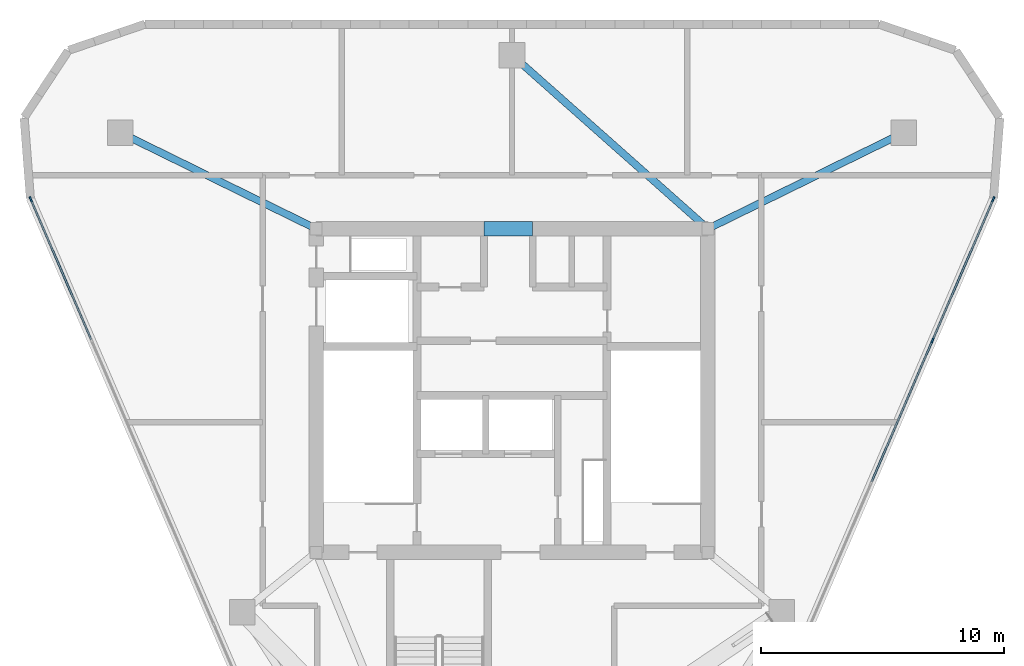
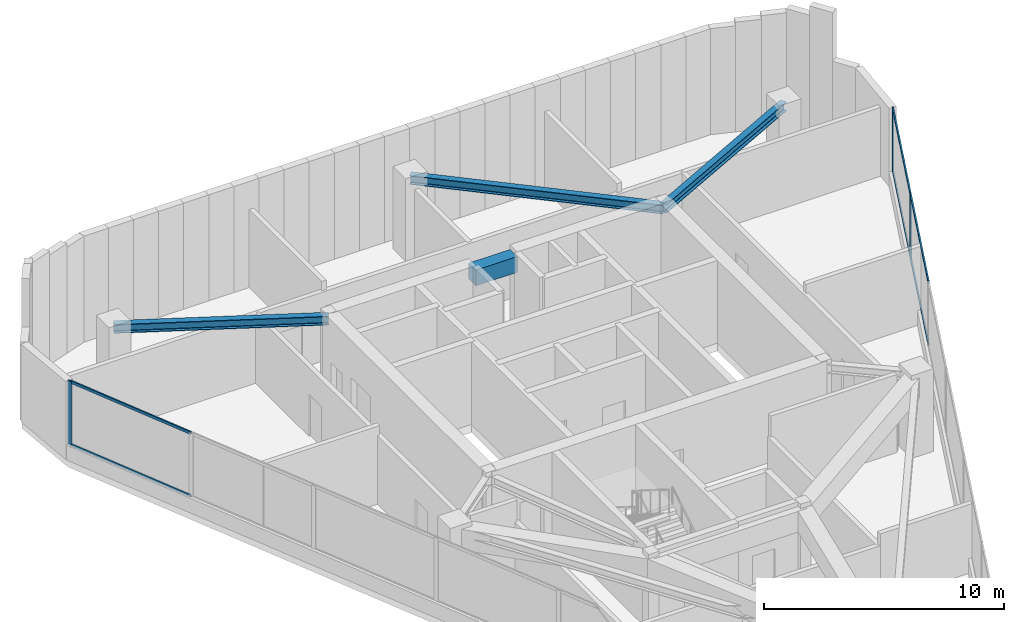
# One storey, part 3 of 9: 9 members, 4 beams, 2 elements without a shape of their own.
"""IFC4 building model written with IfcOpenShell, lengths in metres."""

from ifc_helpers import new_model, si_unit, direction, frame, origin, origin_2d, place, context, subcontext, project, spatial, rectangle, i_section, extrude, material, layer, layer_set, material_profile, profile_set, type_object, element, aggregate, save


model = new_model("IFC4")

# Units and contexts
model_context = context("Model", 3, precision=1e-05, world=origin(), true_north=direction((0.0, 1.0)))
body_context = subcontext(model_context, "Body", "Model", "MODEL_VIEW")
ifc_project = project(units=[si_unit("LENGTHUNIT", "METRE"), si_unit("AREAUNIT", "SQUARE_METRE"), si_unit("VOLUMEUNIT", "CUBIC_METRE"), si_unit("PLANEANGLEUNIT", "RADIAN"), si_unit("MASSUNIT", "GRAM", prefix="KILO")], contexts=[model_context])

# Site, building, storey
site_placement = place(None, origin())
site = spatial("IfcSite", under=ifc_project, at=site_placement, CompositionType="ELEMENT")
building_placement = place(site_placement, origin())
building = spatial("IfcBuilding", under=site, at=building_placement, Name="Talyreon Biosciences Tower", CompositionType="ELEMENT")
storey_placement = place(building_placement, frame((0.0, 0.0, 317.199951171875)))
storey = spatial("IfcBuildingStorey", under=building, at=storey_placement, Name="L84", CompositionType="ELEMENT", Elevation=317.199951171875)

# Curtain wall, members
ifc_material_1 = material(Name="Thermally broken aluminium and low-E glazing", Category="aluminium")
ifc_layer = layer(ifc_material_1, 0.2099609375)
ifc_layer_set = layer_set([ifc_layer], Name="Thermally broken aluminium and low-E glazing")
curtain_wall_type = type_object("IfcCurtainWallType", Name="CurtainWall_SlantedCrown", PredefinedType="NOTDEFINED", material=ifc_layer_set)
curtain_wall_1_placement = place(storey_placement, origin())
curtain_wall_1 = element("IfcCurtainWall", 1, at=curtain_wall_1_placement, inside=storey, type_object=curtain_wall_type, Name="L84 Unitised Curtain Wall FCW-L84-07C", PredefinedType="NOTDEFINED")
ifc_material_2 = material(Name="Anodised thermally broken aluminium", Category="aluminium")
ifc_material_profile_1 = material_profile(ifc_material_2, rectangle(XDim=0.074951171875, YDim=0.2099609375, at=origin_2d()), Name="ALUM MULLION 75x210")
ifc_profile_set_1 = profile_set([ifc_material_profile_1], Name="Anodised thermally broken aluminium")
member_type_1 = type_object("IfcMemberType", Name="CWMullion_75x210", PredefinedType="MULLION", material=ifc_profile_set_1)
member_1_placement = place(storey_placement, frame((85.782470703125, 75.867431640625, 0.7099609375), z_axis=(0.0, 0.0, 1.0), x_axis=(0.918487228756, -0.395450642447, 0.0)))
member_1 = element("IfcMember", 2, at=member_1_placement, type_object=member_type_1, Name="CW8 mullion 1", PredefinedType="MULLION", context=body_context, shape_type="SweptSolid", body=[
    extrude(rectangle(XDim=0.074951171875, YDim=0.2099609375, at=origin_2d()), origin(), (0.0, 0.0, 1.0), 3.255126953125),
])
member_2_placement = place(storey_placement, frame((83.28271484375, 70.06103515625, 0.7099609375), z_axis=(0.0, 0.0, 1.0), x_axis=(0.918487228756, -0.395450642447, 0.0)))
member_2 = element("IfcMember", 3, at=member_2_placement, type_object=member_type_1, Name="CW8 mullion 2", PredefinedType="MULLION", context=body_context, shape_type="SweptSolid", body=[
    extrude(rectangle(XDim=0.074951171875, YDim=0.2099609375, at=origin_2d()), origin(), (0.0, 0.0, 1.0), 3.255126953125),
])

# Curtain wall, member
curtain_wall_2_placement = place(storey_placement, origin())
curtain_wall_2 = element("IfcCurtainWall", 4, at=curtain_wall_2_placement, inside=storey, type_object=curtain_wall_type, Name="L84 Unitised Curtain Wall FCW-L84-11C", PredefinedType="NOTDEFINED")
member_3_placement = place(storey_placement, frame((46.217529296875, 75.867431640625, 0.7099609375), z_axis=(0.0, 0.0, 1.0), x_axis=(-0.918487228756, -0.395450642447, 0.0)))
member_3 = element("IfcMember", 5, at=member_3_placement, type_object=member_type_1, Name="CW8 mullion 7", PredefinedType="MULLION", context=body_context, shape_type="SweptSolid", body=[
    extrude(rectangle(XDim=0.074951171875, YDim=0.2099609375, at=origin_2d()), origin(), (0.0, 0.0, 1.0), 3.255126953125),
])

# Member
ifc_material_profile_2 = material_profile(ifc_material_2, rectangle(XDim=0.06494140625, YDim=0.139892578125, at=origin_2d()), Name="ALUM TRANSOM 65x140")
ifc_profile_set_2 = profile_set([ifc_material_profile_2], Name="Anodised thermally broken aluminium")
member_type_2 = type_object("IfcMemberType", Name="CWTransom_65x140", PredefinedType="USERDEFINED", material=ifc_profile_set_2)
member_4_placement = place(storey_placement, frame((85.767822265625, 75.8330078125, 0.742431640625), z_axis=(-0.395475293294, -0.91847661505, 0.0), x_axis=(0.91847661505, -0.395475293294, 0.0)))
member_4 = element("IfcMember", 6, at=member_4_placement, type_object=member_type_2, Name="CW8 transom 1.1", ObjectType="TRANSOM", PredefinedType="USERDEFINED", context=body_context, shape_type="SweptSolid", body=[
    extrude(rectangle(XDim=0.06494140625, YDim=0.139892578125, at=origin_2d()), origin(), (0.0, 0.0, 1.0), 6.246826171875),
])

member_5_placement = place(storey_placement, frame((85.767822265625, 75.8330078125, 3.9326171875), z_axis=(-0.395475293294, -0.91847661505, 0.0), x_axis=(0.91847661505, -0.395475293294, 0.0)))
member_5 = element("IfcMember", 7, at=member_5_placement, type_object=member_type_2, Name="CW8 transom 1.2", ObjectType="TRANSOM", PredefinedType="USERDEFINED", context=body_context, shape_type="SweptSolid", body=[
    extrude(rectangle(XDim=0.06494140625, YDim=0.139892578125, at=origin_2d()), origin(), (0.0, 0.0, 1.0), 6.246826171875),
])

member_6_placement = place(storey_placement, frame((83.267822265625, 70.026611328125, 0.742431640625), z_axis=(-0.395451977448, -0.918486653976, 0.0), x_axis=(0.918486653976, -0.395451977448, 0.0)))
member_6 = element("IfcMember", 8, at=member_6_placement, type_object=member_type_2, Name="CW8 transom 2.1", ObjectType="TRANSOM", PredefinedType="USERDEFINED", context=body_context, shape_type="SweptSolid", body=[
    extrude(rectangle(XDim=0.06494140625, YDim=0.139892578125, at=origin_2d()), origin(), (0.0, 0.0, 1.0), 6.2841796875),
])

member_7_placement = place(storey_placement, frame((83.267822265625, 70.026611328125, 3.9326171875), z_axis=(-0.395451977448, -0.918486653976, 0.0), x_axis=(0.918486653976, -0.395451977448, 0.0)))
member_7 = element("IfcMember", 9, at=member_7_placement, type_object=member_type_2, Name="CW8 transom 2.2", ObjectType="TRANSOM", PredefinedType="USERDEFINED", context=body_context, shape_type="SweptSolid", body=[
    extrude(rectangle(XDim=0.06494140625, YDim=0.139892578125, at=origin_2d()), origin(), (0.0, 0.0, 1.0), 6.2841796875),
])

aggregate(curtain_wall_1, [member_1, member_2, member_4, member_5, member_6, member_7])

member_8_placement = place(storey_placement, frame((48.70263671875, 70.095458984375, 0.742431640625), z_axis=(-0.395475293294, 0.91847661505, 0.0), x_axis=(-0.91847661505, -0.395475293294, 0.0)))
member_8 = element("IfcMember", 10, at=member_8_placement, type_object=member_type_2, Name="CW8 transom 6.1", ObjectType="TRANSOM", PredefinedType="USERDEFINED", context=body_context, shape_type="SweptSolid", body=[
    extrude(rectangle(XDim=0.06494140625, YDim=0.139892578125, at=origin_2d()), origin(), (0.0, 0.0, 1.0), 6.246826171875),
])

member_9_placement = place(storey_placement, frame((48.70263671875, 70.095458984375, 3.9326171875), z_axis=(-0.395475293294, 0.91847661505, 0.0), x_axis=(-0.91847661505, -0.395475293294, 0.0)))
member_9 = element("IfcMember", 11, at=member_9_placement, type_object=member_type_2, Name="CW8 transom 6.2", ObjectType="TRANSOM", PredefinedType="USERDEFINED", context=body_context, shape_type="SweptSolid", body=[
    extrude(rectangle(XDim=0.06494140625, YDim=0.139892578125, at=origin_2d()), origin(), (0.0, 0.0, 1.0), 6.246826171875),
])

aggregate(curtain_wall_2, [member_3, member_8, member_9])

# Beams
ifc_material_3 = material(Name="Concrete C50/60", Category="concrete")
ifc_material_profile_3 = material_profile(ifc_material_3, rectangle(XDim=0.60009765625, YDim=0.800048828125, at=origin_2d()), Name="RCB 600x800")
ifc_profile_set_3 = profile_set([ifc_material_profile_3], Name="Concrete C50/60")
beam_type_1 = type_object("IfcBeamType", Name="CoreCouplingLintel_600x800", PredefinedType="LINTEL", material=ifc_profile_set_3)
beam_1_placement = place(storey_placement, frame((64.85009765625, 74.64990234375, 3.56494140625), z_axis=(1.0, 0.0, 0.0), x_axis=(0.0, 1.0, 0.0)))
element("IfcBeam", 12, at=beam_1_placement, inside=storey, type_object=beam_type_1, Name="L84 Core Coupling Lintel", PredefinedType="LINTEL", context=body_context, shape_type="SweptSolid", body=[
    extrude(rectangle(XDim=0.60009765625, YDim=0.800048828125, at=origin_2d()), origin(), (0.0, 0.0, 1.0), 2.0),
])
ifc_material_4 = material(Name="Steel SM355", Category="steel")
ifc_material_profile_4 = material_profile(ifc_material_4, i_section(OverallWidth=0.300048828125, OverallDepth=0.449951171875, WebThickness=0.013916015625, FlangeThickness=0.02587890625, FilletRadius=0.027099609375, at=origin_2d()), Name="HE450B")
ifc_profile_set_4 = profile_set([ifc_material_profile_4], Name="Steel SM355")
beam_type_2 = type_object("IfcBeamType", Name="SteelBeam_HE450B", PredefinedType="BEAM", material=ifc_profile_set_4)
beam_2_placement = place(storey_placement, frame((74.050048828125, 74.64990234375, 3.739990234375), z_axis=(0.897852360314, 0.440296648952, 0.0), x_axis=(-0.440296648952, 0.897852360314, 0.0)))
element("IfcBeam", 13, at=beam_2_placement, inside=storey, type_object=beam_type_2, Name="L84 Radial Primary Girder 3", PredefinedType="BEAM", context=body_context, shape_type="SweptSolid", body=[
    extrude(i_section(OverallWidth=0.300048828125, OverallDepth=0.449951171875, WebThickness=0.013916015625, FlangeThickness=0.02587890625, FilletRadius=0.027099609375, at=origin_2d()), origin(), (0.0, 0.0, 1.0), 8.96826171875),
])
beam_3_placement = place(storey_placement, frame((74.050048828125, 74.64990234375, 3.739990234375), z_axis=(-0.748178733955, 0.663497235908, 0.0), x_axis=(-0.663497235908, -0.748178733955, 0.0)))
element("IfcBeam", 14, at=beam_3_placement, inside=storey, type_object=beam_type_2, Name="L84 Radial Primary Girder 4", PredefinedType="BEAM", context=body_context, shape_type="SweptSolid", body=[
    extrude(i_section(OverallWidth=0.300048828125, OverallDepth=0.449951171875, WebThickness=0.013916015625, FlangeThickness=0.02587890625, FilletRadius=0.027099609375, at=origin_2d()), origin(), (0.0, 0.0, 1.0), 10.759521484375),
])
beam_4_placement = place(storey_placement, frame((57.949951171875, 74.64990234375, 3.739990234375), z_axis=(-0.897852360314, 0.440296648952, 0.0), x_axis=(-0.440296648952, -0.897852360314, 0.0)))
element("IfcBeam", 15, at=beam_4_placement, inside=storey, type_object=beam_type_2, Name="L84 Radial Primary Girder 5", PredefinedType="BEAM", context=body_context, shape_type="SweptSolid", body=[
    extrude(i_section(OverallWidth=0.300048828125, OverallDepth=0.449951171875, WebThickness=0.013916015625, FlangeThickness=0.02587890625, FilletRadius=0.027099609375, at=origin_2d()), origin(), (0.0, 0.0, 1.0), 8.96826171875),
])

save(model, "model.ifc")
